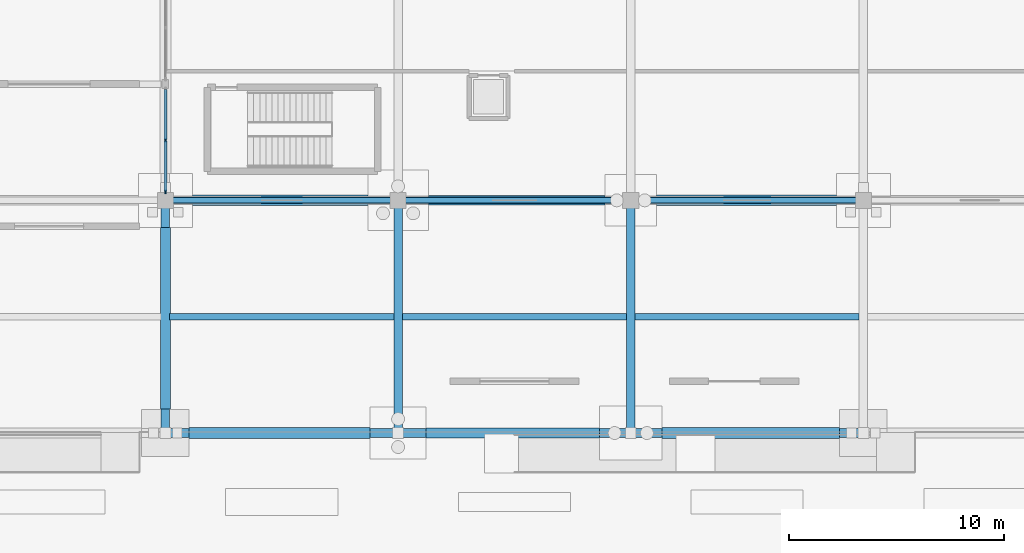
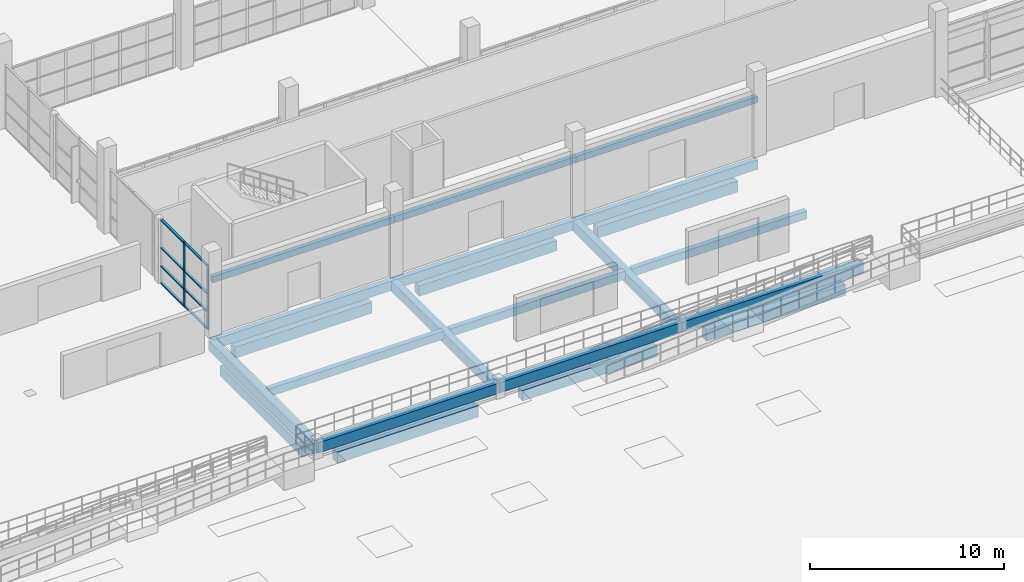
# One storey, part 32 of 138: 22 beams, 10 members, 1 element without a shape of its own.
"""IFC4 building model written with IfcOpenShell, lengths in metres."""

from ifc_helpers import new_model, si_unit, direction, frame, origin, origin_2d, place, context, subcontext, project, spatial, rectangle, extrude, material, material_profile, profile_set, type_object, element, aggregate, save


model = new_model("IFC4")

# Units and contexts
model_context = context("Model", 3, precision=1e-05, world=origin(), true_north=direction((0.0, 1.0)))
body_context = subcontext(model_context, "Body", "Model", "MODEL_VIEW")
ifc_project = project(units=[si_unit("LENGTHUNIT", "METRE"), si_unit("AREAUNIT", "SQUARE_METRE"), si_unit("VOLUMEUNIT", "CUBIC_METRE"), si_unit("PLANEANGLEUNIT", "RADIAN"), si_unit("MASSUNIT", "GRAM", prefix="KILO")], contexts=[model_context])

# Site, building, storey
site_placement = place(None, origin())
site = spatial("IfcSite", under=ifc_project, at=site_placement, CompositionType="ELEMENT")
building_placement = place(site_placement, origin())
building = spatial("IfcBuilding", under=site, at=building_placement, Name="Zwinboog Wholesale Market", CompositionType="ELEMENT")
storey_placement = place(building_placement, origin())
storey = spatial("IfcBuildingStorey", under=building, at=storey_placement, Name="L00", CompositionType="ELEMENT", Elevation=0.0)

# Beams
ifc_material_1 = material(Name="Precast concrete C45/55", Category="concrete")
ifc_material_profile_1 = material_profile(ifc_material_1, rectangle(XDim=0.39990234375, YDim=0.64990234375, at=origin_2d()), Name="PC 400x650")
ifc_profile_set_1 = profile_set([ifc_material_profile_1], Name="Precast concrete C45/55")
beam_type_1 = type_object("IfcBeamType", Name="BT-05", PredefinedType="BEAM", material=ifc_profile_set_1)
beam_1_placement = place(storey_placement, frame((64.800048828125, 32.39990234375, -0.56689453125), z_axis=(1.0, 0.0, 0.0), x_axis=(0.0, 1.0, 0.0)))
element("IfcBeam", 1, at=beam_1_placement, inside=storey, type_object=beam_type_1, Name="BG-05 (BM-TER-L00-0003)", PredefinedType="BEAM", context=body_context, shape_type="SweptSolid", body=[
    extrude(rectangle(XDim=0.39990234375, YDim=0.64990234375, at=origin_2d()), origin(), (0.0, 0.0, 1.0), 10.800048828125),
])
beam_2_placement = place(storey_placement, frame((75.60009765625, 32.39990234375, -0.56689453125), z_axis=(1.0, 0.0, 0.0), x_axis=(0.0, 1.0, 0.0)))
element("IfcBeam", 2, at=beam_2_placement, inside=storey, type_object=beam_type_1, Name="BG-05 (BM-TER-L00-0004)", PredefinedType="BEAM", context=body_context, shape_type="SweptSolid", body=[
    extrude(rectangle(XDim=0.39990234375, YDim=0.64990234375, at=origin_2d()), origin(), (0.0, 0.0, 1.0), 10.7998046875),
])
for number, where, z_axis, x_axis, name in (
    (3, (86.39990234375, 32.39990234375, -0.56689453125), (1.0, 0.0, 0.0), (0.0, 1.0, 0.0), "BG-05 (BM-TER-L00-0005)"),
    (4, (64.800048828125, 32.39990234375, -0.68994140625), (0.0, 1.0, 0.0), (-1.0, 0.0, 0.0), "BG-05 (BM-TER-L00-0019)"),
    (5, (75.60009765625, 32.39990234375, -0.68994140625), (0.0, 1.0, 0.0), (-1.0, 0.0, 0.0), "BG-05 (BM-TER-L00-0020)"),
    (6, (86.39990234375, 32.39990234375, -0.68994140625), (0.0, 1.0, 0.0), (-1.0, 0.0, 0.0), "BG-05 (BM-TER-L00-0021)"),
):
    element("IfcBeam", number, at=place(storey_placement, frame(where, z_axis=z_axis, x_axis=x_axis)), inside=storey, type_object=beam_type_1, Name=name, PredefinedType="BEAM", context=body_context, shape_type="SweptSolid", body=[
        extrude(rectangle(XDim=0.39990234375, YDim=0.64990234375, at=origin_2d()), origin(), (0.0, 0.0, 1.0), 10.800048828125),
    ])
ifc_material_profile_2 = material_profile(ifc_material_1, rectangle(XDim=0.300048828125, YDim=0.60009765625, at=origin_2d()), Name="PC 300x600")
ifc_profile_set_2 = profile_set([ifc_material_profile_2], Name="Precast concrete C45/55")
beam_type_2 = type_object("IfcBeamType", Name="BT-09", PredefinedType="SPANDREL", material=ifc_profile_set_2)
beam_3_placement = place(storey_placement, frame((64.800048828125, 43.199951171875, -0.6650390625), z_axis=(1.0, 0.0, 0.0), x_axis=(0.0, 1.0, 0.0)))
element("IfcBeam", 7, at=beam_3_placement, inside=storey, type_object=beam_type_2, Name="SP-02 (BMG-L00-0648-0432-0059)", PredefinedType="SPANDREL", context=body_context, shape_type="SweptSolid", body=[
    extrude(rectangle(XDim=0.300048828125, YDim=0.60009765625, at=origin_2d()), origin(), (0.0, 0.0, 1.0), 10.800048828125),
])
beam_4_placement = place(storey_placement, frame((75.60009765625, 43.199951171875, -0.6650390625), z_axis=(1.0, 0.0, 0.0), x_axis=(0.0, 1.0, 0.0)))
element("IfcBeam", 8, at=beam_4_placement, inside=storey, type_object=beam_type_2, Name="SP-02 (BMG-L00-0756-0432-0060)", PredefinedType="SPANDREL", context=body_context, shape_type="SweptSolid", body=[
    extrude(rectangle(XDim=0.300048828125, YDim=0.60009765625, at=origin_2d()), origin(), (0.0, 0.0, 1.0), 10.7998046875),
])
beam_5_placement = place(storey_placement, frame((86.39990234375, 43.199951171875, -0.6650390625), z_axis=(1.0, 0.0, 0.0), x_axis=(0.0, 1.0, 0.0)))
element("IfcBeam", 9, at=beam_5_placement, inside=storey, type_object=beam_type_2, Name="SP-02 (BMG-L00-0864-0432-0061)", PredefinedType="SPANDREL", context=body_context, shape_type="SweptSolid", body=[
    extrude(rectangle(XDim=0.300048828125, YDim=0.60009765625, at=origin_2d()), origin(), (0.0, 0.0, 1.0), 10.800048828125),
])
ifc_material_profile_3 = material_profile(ifc_material_1, rectangle(XDim=0.300048828125, YDim=0.5, at=origin_2d()), Name="PC 300x500")
ifc_profile_set_3 = profile_set([ifc_material_profile_3], Name="Precast concrete C45/55")
beam_type_3 = type_object("IfcBeamType", Name="BT-10", PredefinedType="JOIST", material=ifc_profile_set_3)
for number, where, z_axis, x_axis, name in (
    (10, (65.0, 37.800048828125, -0.491943359375), (1.0, 0.0, 0.0), (0.0, 1.0, 0.0), "BJ-01 (BM-TER-L00-0036)"),
    (11, (75.800048828125, 37.800048828125, -0.491943359375), (1.0, 0.0, 0.0), (0.0, 1.0, 0.0), "BJ-01 (BM-TER-L00-0037)"),
    (12, (86.60009765625, 37.800048828125, -0.491943359375), (1.0, 0.0, 0.0), (0.0, 1.0, 0.0), "BJ-01 (BM-TER-L00-0038)"),
):
    element("IfcBeam", number, at=place(storey_placement, frame(where, z_axis=z_axis, x_axis=x_axis)), inside=storey, type_object=beam_type_3, Name=name, PredefinedType="JOIST", context=body_context, shape_type="SweptSolid", body=[
        extrude(rectangle(XDim=0.300048828125, YDim=0.5, at=origin_2d()), origin(), (0.0, 0.0, 1.0), 10.39990234375),
    ])
ifc_material_profile_4 = material_profile(ifc_material_1, rectangle(XDim=0.25, YDim=0.39990234375, at=origin_2d()), Name="PC 250x400")
ifc_profile_set_4 = profile_set([ifc_material_profile_4], Name="Precast concrete C45/55")
beam_type_4 = type_object("IfcBeamType", Name="BT-11", PredefinedType="LINTEL", material=ifc_profile_set_4)
beam_6_placement = place(storey_placement, frame((64.800048828125, 43.199951171875, 3.39990234375), z_axis=(1.0, 0.0, 0.0), x_axis=(0.0, 1.0, 0.0)))
element("IfcBeam", 13, at=beam_6_placement, inside=storey, type_object=beam_type_4, Name="BL-01 (BMG-L00-0648-0432-1051)", PredefinedType="LINTEL", context=body_context, shape_type="SweptSolid", body=[
    extrude(rectangle(XDim=0.25, YDim=0.39990234375, at=origin_2d()), origin(), (0.0, 0.0, 1.0), 10.800048828125),
])
beam_7_placement = place(storey_placement, frame((75.60009765625, 43.199951171875, 3.39990234375), z_axis=(1.0, 0.0, 0.0), x_axis=(0.0, 1.0, 0.0)))
element("IfcBeam", 14, at=beam_7_placement, inside=storey, type_object=beam_type_4, Name="BL-01 (BMG-L00-0756-0432-1052)", PredefinedType="LINTEL", context=body_context, shape_type="SweptSolid", body=[
    extrude(rectangle(XDim=0.25, YDim=0.39990234375, at=origin_2d()), origin(), (0.0, 0.0, 1.0), 10.7998046875),
])
beam_8_placement = place(storey_placement, frame((86.39990234375, 43.199951171875, 3.39990234375), z_axis=(1.0, 0.0, 0.0), x_axis=(0.0, 1.0, 0.0)))
element("IfcBeam", 15, at=beam_8_placement, inside=storey, type_object=beam_type_4, Name="BL-01 (BMG-L00-0864-0432-1053)", PredefinedType="LINTEL", context=body_context, shape_type="SweptSolid", body=[
    extrude(rectangle(XDim=0.25, YDim=0.39990234375, at=origin_2d()), origin(), (0.0, 0.0, 1.0), 10.800048828125),
])
ifc_material_2 = material(Name="Concrete C35/45", Category="concrete")
ifc_material_profile_5 = material_profile(ifc_material_2, rectangle(XDim=0.5, YDim=0.699951171875, at=origin_2d()), Name="RC 500x700")
ifc_profile_set_5 = profile_set([ifc_material_profile_5], Name="Concrete C35/45")
beam_type_5 = type_object("IfcBeamType", Name="BT-12", PredefinedType="USERDEFINED", material=ifc_profile_set_5)
beam_9_placement = place(storey_placement, frame((65.905029296875, 32.39990234375, -1.550048828125), z_axis=(1.0, 0.0, 0.0), x_axis=(0.0, 1.0, 0.0)))
element("IfcBeam", 16, at=beam_9_placement, inside=storey, type_object=beam_type_5, Name="GB-01 (BM-GB-0021)", ObjectType="GROUND_BEAM", PredefinedType="USERDEFINED", context=body_context, shape_type="SweptSolid", body=[
    extrude(rectangle(XDim=0.5, YDim=0.699951171875, at=origin_2d()), origin(), (0.0, 0.0, 1.0), 8.389892578125),
])
beam_10_placement = place(storey_placement, frame((87.85498046875, 32.39990234375, -1.550048828125), z_axis=(1.0, 0.0, 0.0), x_axis=(0.0, 1.0, 0.0)))
element("IfcBeam", 17, at=beam_10_placement, inside=storey, type_object=beam_type_5, Name="GB-01 (BM-GB-0023)", ObjectType="GROUND_BEAM", PredefinedType="USERDEFINED", context=body_context, shape_type="SweptSolid", body=[
    extrude(rectangle(XDim=0.5, YDim=0.699951171875, at=origin_2d()), origin(), (0.0, 0.0, 1.0), 8.239990234375),
])
beam_11_placement = place(storey_placement, frame((66.054931640625, 43.199951171875, -1.550048828125), z_axis=(1.0, 0.0, 0.0), x_axis=(0.0, 1.0, 0.0)))
element("IfcBeam", 18, at=beam_11_placement, inside=storey, type_object=beam_type_5, Name="GB-01 (BM-GB-0039)", ObjectType="GROUND_BEAM", PredefinedType="USERDEFINED", context=body_context, shape_type="SweptSolid", body=[
    extrude(rectangle(XDim=0.5, YDim=0.699951171875, at=origin_2d()), origin(), (0.0, 0.0, 1.0), 8.14013671875),
])
beam_12_placement = place(storey_placement, frame((87.60498046875, 43.199951171875, -1.550048828125), z_axis=(1.0, 0.0, 0.0), x_axis=(0.0, 1.0, 0.0)))
element("IfcBeam", 19, at=beam_12_placement, inside=storey, type_object=beam_type_5, Name="GB-01 (BM-GB-0041)", ObjectType="GROUND_BEAM", PredefinedType="USERDEFINED", context=body_context, shape_type="SweptSolid", body=[
    extrude(rectangle(XDim=0.5, YDim=0.699951171875, at=origin_2d()), origin(), (0.0, 0.0, 1.0), 8.340087890625),
])
ifc_material_profile_6 = material_profile(ifc_material_2, rectangle(XDim=0.449951171875, YDim=0.64990234375, at=origin_2d()), Name="RC 450x650")
ifc_profile_set_6 = profile_set([ifc_material_profile_6], Name="Concrete C35/45")
beam_type_6 = type_object("IfcBeamType", Name="BT-13", PredefinedType="USERDEFINED", material=ifc_profile_set_6)
beam_13_placement = place(storey_placement, frame((76.905029296875, 32.39990234375, -1.52490234375), z_axis=(1.0, 0.0, 0.0), x_axis=(0.0, 1.0, 0.0)))
element("IfcBeam", 20, at=beam_13_placement, inside=storey, type_object=beam_type_6, Name="GB-02 (BM-GB-0022)", ObjectType="GROUND_BEAM", PredefinedType="USERDEFINED", context=body_context, shape_type="SweptSolid", body=[
    extrude(rectangle(XDim=0.449951171875, YDim=0.64990234375, at=origin_2d()), origin(), (0.0, 0.0, 1.0), 8.0400390625),
])
beam_14_placement = place(storey_placement, frame((77.0048828125, 43.199951171875, -1.52490234375), z_axis=(1.0, 0.0, 0.0), x_axis=(0.0, 1.0, 0.0)))
element("IfcBeam", 21, at=beam_14_placement, inside=storey, type_object=beam_type_6, Name="GB-02 (BM-GB-0040)", ObjectType="GROUND_BEAM", PredefinedType="USERDEFINED", context=body_context, shape_type="SweptSolid", body=[
    extrude(rectangle(XDim=0.449951171875, YDim=0.64990234375, at=origin_2d()), origin(), (0.0, 0.0, 1.0), 8.190185546875),
])
beam_15_placement = place(storey_placement, frame((64.800048828125, 33.5048828125, -1.52490234375), z_axis=(0.0, 1.0, 0.0), x_axis=(-1.0, 0.0, 0.0)))
element("IfcBeam", 22, at=beam_15_placement, inside=storey, type_object=beam_type_6, Name="GB-02 (BM-GB-0151)", ObjectType="GROUND_BEAM", PredefinedType="USERDEFINED", context=body_context, shape_type="SweptSolid", body=[
    extrude(rectangle(XDim=0.449951171875, YDim=0.64990234375, at=origin_2d()), origin(), (0.0, 0.0, 1.0), 8.440185546875),
])

# Curtain wall, members
ifc_material_3 = material(Name="Aluminium thermally broken curtain wall", Category="aluminium")
curtain_wall_type = type_object("IfcCurtainWallType", Name="CWT-STALL-18", PredefinedType="USERDEFINED", material=ifc_material_3)
curtain_wall_placement = place(storey_placement, origin())
curtain_wall = element("IfcCurtainWall", 23, at=curtain_wall_placement, inside=storey, type_object=curtain_wall_type, Name="CW-01 (CW-L00-031)", ObjectType="STOREFRONT_GLAZING", PredefinedType="USERDEFINED")
ifc_material_4 = material(Name="Aluminium EN AW-6060", Category="aluminium")
ifc_material_profile_7 = material_profile(ifc_material_4, rectangle(XDim=0.06494140625, YDim=0.179931640625, at=origin_2d()), Name="AL 65x180")
ifc_profile_set_7 = profile_set([ifc_material_profile_7], Name="Aluminium EN AW-6060")
member_type_1 = type_object("IfcMemberType", Name="CWM-65x180", PredefinedType="MULLION", material=ifc_profile_set_7)
member_1_placement = place(storey_placement, frame((64.800048828125, 43.6025390625, 0.0), z_axis=(0.0, 0.0, 1.0), x_axis=(-1.0, 0.0, 0.0)))
member_1 = element("IfcMember", 24, at=member_1_placement, type_object=member_type_1, Name="CW-01 mullion 1", PredefinedType="MULLION", context=body_context, shape_type="SweptSolid", body=[
    extrude(rectangle(XDim=0.06494140625, YDim=0.179931640625, at=origin_2d()), origin(), (0.0, 0.0, 1.0), 4.02490234375),
])
member_2_placement = place(storey_placement, frame((64.800048828125, 45.985107421875, 0.0), z_axis=(0.0, 0.0, 1.0), x_axis=(-1.0, 0.0, 0.0)))
member_2 = element("IfcMember", 25, at=member_2_placement, type_object=member_type_1, Name="CW-01 mullion 2", PredefinedType="MULLION", context=body_context, shape_type="SweptSolid", body=[
    extrude(rectangle(XDim=0.06494140625, YDim=0.179931640625, at=origin_2d()), origin(), (0.0, 0.0, 1.0), 4.02490234375),
])
ifc_material_profile_8 = material_profile(ifc_material_4, rectangle(XDim=0.139892578125, YDim=0.06494140625, at=origin_2d()), Name="AL 65x140")
ifc_profile_set_8 = profile_set([ifc_material_profile_8], Name="Aluminium EN AW-6060")
member_type_2 = type_object("IfcMemberType", Name="CWT-65x140", PredefinedType="USERDEFINED", material=ifc_profile_set_8)
member_3_placement = place(storey_placement, frame((64.800048828125, 43.635009765625, 0.032470703125), z_axis=(0.0, 1.0, 0.0), x_axis=(-1.0, 0.0, 0.0)))
member_3 = element("IfcMember", 26, at=member_3_placement, type_object=member_type_2, Name="CW-01 transom 1.1", ObjectType="TRANSOM", PredefinedType="USERDEFINED", context=body_context, shape_type="SweptSolid", body=[
    extrude(rectangle(XDim=0.139892578125, YDim=0.06494140625, at=origin_2d()), origin(), (0.0, 0.0, 1.0), 2.3173828125),
])
member_4_placement = place(storey_placement, frame((64.800048828125, 43.635009765625, 1.10009765625), z_axis=(0.0, 1.0, 0.0), x_axis=(-1.0, 0.0, 0.0)))
member_4 = element("IfcMember", 27, at=member_4_placement, type_object=member_type_2, Name="CW-01 transom 1.2", ObjectType="TRANSOM", PredefinedType="USERDEFINED", context=body_context, shape_type="SweptSolid", body=[
    extrude(rectangle(XDim=0.139892578125, YDim=0.06494140625, at=origin_2d()), origin(), (0.0, 0.0, 1.0), 2.3173828125),
])
member_5_placement = place(storey_placement, frame((64.800048828125, 43.635009765625, 2.25), z_axis=(0.0, 1.0, 0.0), x_axis=(-1.0, 0.0, 0.0)))
member_5 = element("IfcMember", 28, at=member_5_placement, type_object=member_type_2, Name="CW-01 transom 1.3", ObjectType="TRANSOM", PredefinedType="USERDEFINED", context=body_context, shape_type="SweptSolid", body=[
    extrude(rectangle(XDim=0.139892578125, YDim=0.06494140625, at=origin_2d()), origin(), (0.0, 0.0, 1.0), 2.3173828125),
])
member_6_placement = place(storey_placement, frame((64.800048828125, 43.635009765625, 3.992431640625), z_axis=(0.0, 1.0, 0.0), x_axis=(-1.0, 0.0, 0.0)))
member_6 = element("IfcMember", 29, at=member_6_placement, type_object=member_type_2, Name="CW-01 transom 1.4", ObjectType="TRANSOM", PredefinedType="USERDEFINED", context=body_context, shape_type="SweptSolid", body=[
    extrude(rectangle(XDim=0.139892578125, YDim=0.06494140625, at=origin_2d()), origin(), (0.0, 0.0, 1.0), 2.3173828125),
])
member_7_placement = place(storey_placement, frame((64.800048828125, 46.017578125, 0.032470703125), z_axis=(0.0, 1.0, 0.0), x_axis=(-1.0, 0.0, 0.0)))
member_7 = element("IfcMember", 30, at=member_7_placement, type_object=member_type_2, Name="CW-01 transom 2.1", ObjectType="TRANSOM", PredefinedType="USERDEFINED", context=body_context, shape_type="SweptSolid", body=[
    extrude(rectangle(XDim=0.139892578125, YDim=0.06494140625, at=origin_2d()), origin(), (0.0, 0.0, 1.0), 2.3173828125),
])
member_8_placement = place(storey_placement, frame((64.800048828125, 46.017578125, 1.10009765625), z_axis=(0.0, 1.0, 0.0), x_axis=(-1.0, 0.0, 0.0)))
member_8 = element("IfcMember", 31, at=member_8_placement, type_object=member_type_2, Name="CW-01 transom 2.2", ObjectType="TRANSOM", PredefinedType="USERDEFINED", context=body_context, shape_type="SweptSolid", body=[
    extrude(rectangle(XDim=0.139892578125, YDim=0.06494140625, at=origin_2d()), origin(), (0.0, 0.0, 1.0), 2.3173828125),
])
member_9_placement = place(storey_placement, frame((64.800048828125, 46.017578125, 2.25), z_axis=(0.0, 1.0, 0.0), x_axis=(-1.0, 0.0, 0.0)))
member_9 = element("IfcMember", 32, at=member_9_placement, type_object=member_type_2, Name="CW-01 transom 2.3", ObjectType="TRANSOM", PredefinedType="USERDEFINED", context=body_context, shape_type="SweptSolid", body=[
    extrude(rectangle(XDim=0.139892578125, YDim=0.06494140625, at=origin_2d()), origin(), (0.0, 0.0, 1.0), 2.3173828125),
])
member_10_placement = place(storey_placement, frame((64.800048828125, 46.017578125, 3.992431640625), z_axis=(0.0, 1.0, 0.0), x_axis=(-1.0, 0.0, 0.0)))
member_10 = element("IfcMember", 33, at=member_10_placement, type_object=member_type_2, Name="CW-01 transom 2.4", ObjectType="TRANSOM", PredefinedType="USERDEFINED", context=body_context, shape_type="SweptSolid", body=[
    extrude(rectangle(XDim=0.139892578125, YDim=0.06494140625, at=origin_2d()), origin(), (0.0, 0.0, 1.0), 2.3173828125),
])
aggregate(curtain_wall, [member_1, member_2, member_3, member_4, member_5, member_6, member_7, member_8, member_9, member_10])

save(model, "model.ifc")
